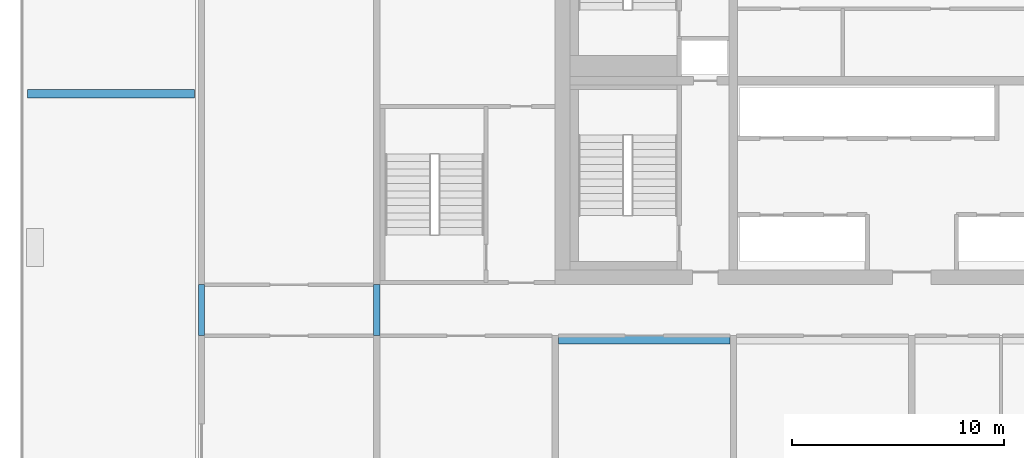
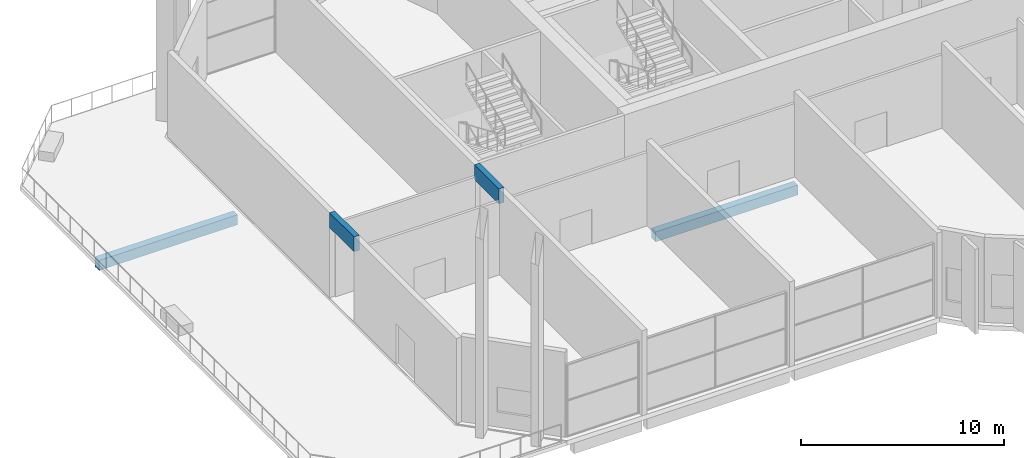
# One storey, part 2 of 19: 4 beams.
"""IFC4 building model written with IfcOpenShell, lengths in metres."""

from ifc_helpers import new_model, si_unit, direction, frame, origin, origin_2d, place, context, subcontext, project, spatial, rectangle, extrude, source, transform, mapped, material, material_profile, profile_set, type_object, element, save


model = new_model("IFC4")

# Units and contexts
model_context = context("Model", 3, precision=1e-05, world=origin(), true_north=direction((0.0, 1.0)))
body_context = subcontext(model_context, "Body", "Model", "MODEL_VIEW")
ifc_project = project(units=[si_unit("LENGTHUNIT", "METRE"), si_unit("AREAUNIT", "SQUARE_METRE"), si_unit("VOLUMEUNIT", "CUBIC_METRE"), si_unit("PLANEANGLEUNIT", "RADIAN"), si_unit("MASSUNIT", "GRAM", prefix="KILO")], contexts=[model_context])

# Site, building, storey
site_placement = place(None, origin())
site = spatial("IfcSite", under=ifc_project, at=site_placement, CompositionType="ELEMENT")
building_placement = place(site_placement, origin())
building = spatial("IfcBuilding", under=site, at=building_placement, Name="Vanashikhar Sky Hotel", CompositionType="ELEMENT")
storey_placement = place(building_placement, frame((0.0, 0.0, 146.199951171875)))
storey = spatial("IfcBuildingStorey", under=building, at=storey_placement, Name="L35", CompositionType="ELEMENT", Elevation=146.199951171875)

# Beams
ifc_material = material(Name="Concrete M50", Category="concrete")
ifc_material_profile_1 = material_profile(ifc_material, rectangle(XDim=0.300048828125, YDim=0.89990234375, at=origin_2d()))
ifc_profile_set_1 = profile_set([ifc_material_profile_1], Name="RC 300x900 beam Concrete M50")
beam_type_1 = type_object("IfcBeamType", Name="RC 300x900 beam Concrete M50", PredefinedType="LINTEL", material=ifc_profile_set_1)
shared_shape_1 = source(origin(), body_context, "Body", "SweptSolid", [
    extrude(rectangle(XDim=0.300048828125, YDim=0.89990234375, at=origin_2d()), origin(), (0.0, 0.0, 1.0), 2.39990234375),
])
for number, where, z_axis, x_axis, name in (
    (1, (8.550048828125, 19.60009765625, 4.670166015625), (0.0, 1.0, 0.0), (-1.0, 0.0, 0.0), "LB-L35-XW02"),
    (2, (16.800048828125, 19.60009765625, 4.670166015625), (0.0, 1.0, 0.0), (-1.0, 0.0, 0.0), "LB-L35-XW03"),
):
    element("IfcBeam", number, at=place(storey_placement, frame(where, z_axis=z_axis, x_axis=x_axis)), inside=storey, type_object=beam_type_1, Name=name, PredefinedType="LINTEL", context=body_context, shape_type="MappedRepresentation", body=[
        mapped(shared_shape_1, transform((0.0, 0.0, 0.0), scale=1.0)),
    ])
ifc_material_profile_2 = material_profile(ifc_material, rectangle(XDim=0.39990234375, YDim=0.60009765625, at=origin_2d()))
ifc_profile_set_2 = profile_set([ifc_material_profile_2], Name="RC 400x600 beam Concrete M50")
beam_type_2 = type_object("IfcBeamType", Name="RC 400x600 beam Concrete M50", PredefinedType="BEAM", material=ifc_profile_set_2)
shared_shape_2 = source(origin(), body_context, "Body", "SweptSolid", [
    extrude(rectangle(XDim=0.39990234375, YDim=0.60009765625, at=origin_2d()), origin(), (0.0, 0.0, 1.0), 8.099853515625),
])
beam_1_placement = place(storey_placement, frame((25.35009765625, 19.39990234375, -0.579833984375), z_axis=(1.0, 0.0, 0.0), x_axis=(0.0, 1.0, 0.0)))
element("IfcBeam", 3, at=beam_1_placement, inside=storey, type_object=beam_type_2, Name="CB-L35-01", PredefinedType="BEAM", context=body_context, shape_type="MappedRepresentation", body=[
    mapped(shared_shape_2, transform((0.0, 0.0, 0.0), scale=1.0)),
])
shared_shape_3 = source(origin(), body_context, "Body", "SweptSolid", [
    extrude(rectangle(XDim=0.39990234375, YDim=0.60009765625, at=origin_2d()), origin(), (0.0, 0.0, 1.0), 7.875),
])
beam_2_placement = place(storey_placement, frame((0.35009765625, 31.0, -0.579833984375), z_axis=(1.0, 0.0, 0.0), x_axis=(0.0, 1.0, 0.0)))
element("IfcBeam", 4, at=beam_2_placement, inside=storey, type_object=beam_type_2, Name="TB-L35-W2", PredefinedType="BEAM", context=body_context, shape_type="MappedRepresentation", body=[
    mapped(shared_shape_3, transform((0.0, 0.0, 0.0), scale=1.0)),
])

save(model, "model.ifc")
